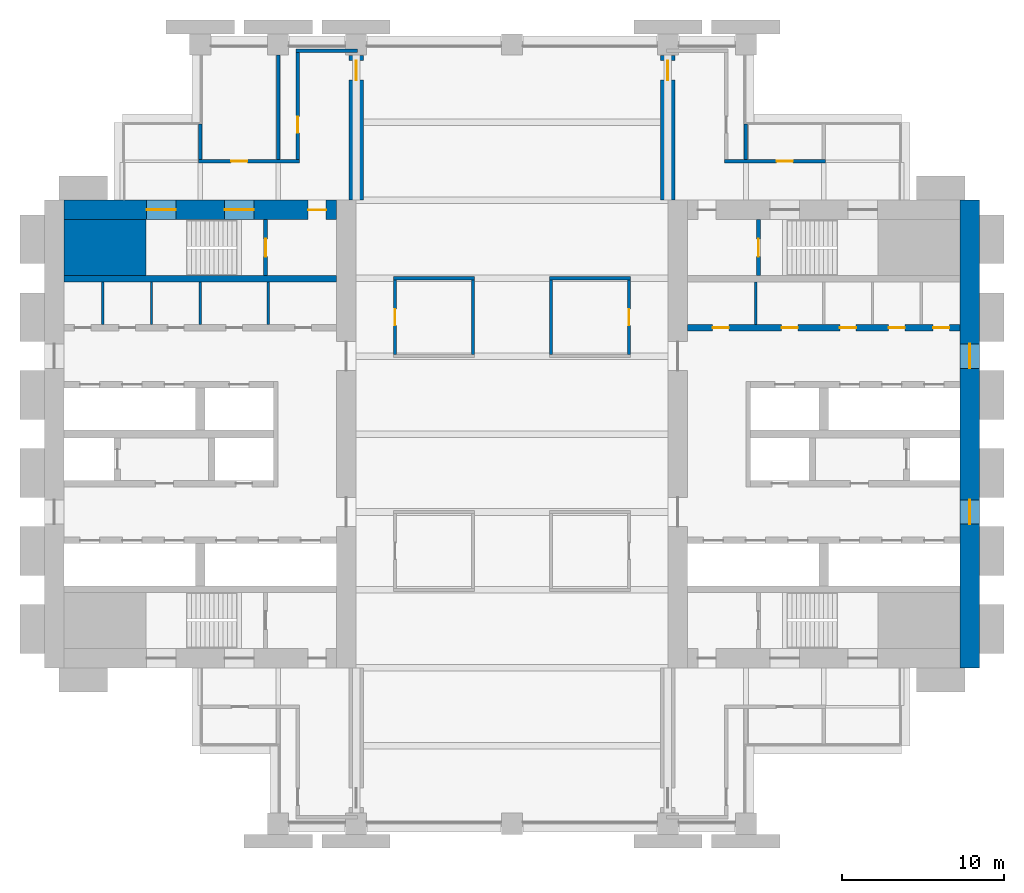
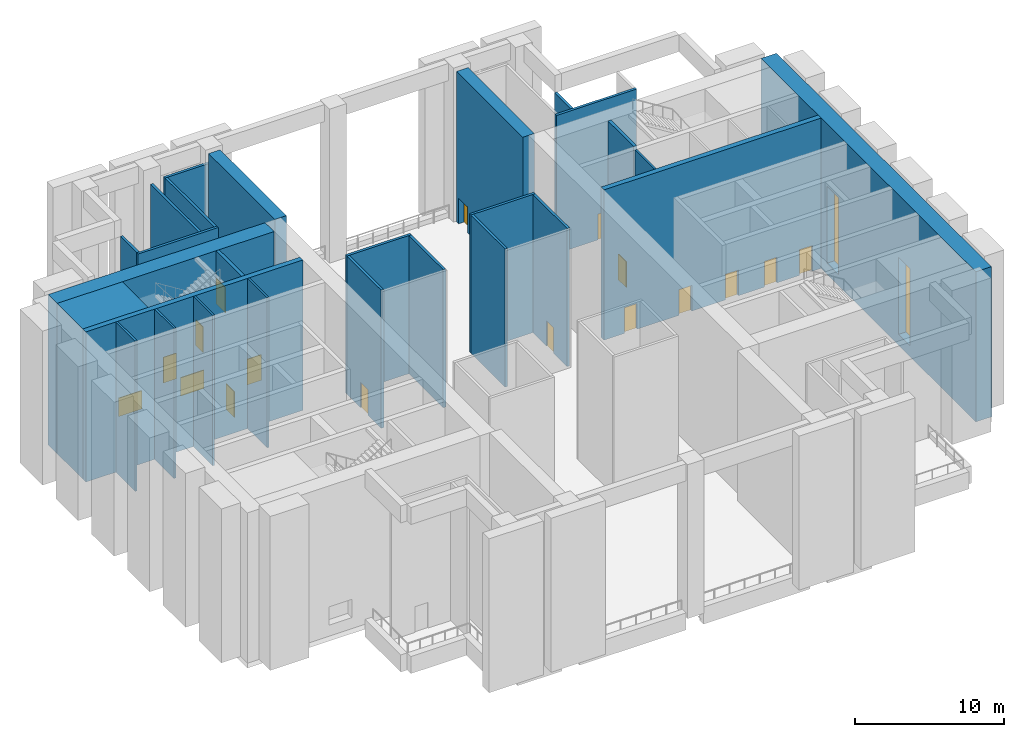
# One storey, part 5 of 10: 27 walls, 15 doors, 4 windows, 19 openings.
"""IFC4 building model written with IfcOpenShell, lengths in metres."""

from ifc_helpers import new_model, si_unit, direction, frame, frame_2d, origin, place, context, subcontext, project, spatial, rectangle, extrude, material, layer, layer_set, type_object, element, fill, save


model = new_model("IFC4")

# Units and contexts
model_context = context("Model", 3, precision=1e-05, world=origin(), true_north=direction((0.0, 1.0)))
body_context = subcontext(model_context, "Body", "Model", "MODEL_VIEW")
ifc_project = project(units=[si_unit("LENGTHUNIT", "METRE"), si_unit("AREAUNIT", "SQUARE_METRE"), si_unit("VOLUMEUNIT", "CUBIC_METRE"), si_unit("PLANEANGLEUNIT", "RADIAN"), si_unit("MASSUNIT", "GRAM", prefix="KILO")], contexts=[model_context])

# Site, building, storey
site_placement = place(None, origin())
site = spatial("IfcSite", under=ifc_project, at=site_placement, CompositionType="ELEMENT")
building_placement = place(site_placement, origin())
building = spatial("IfcBuilding", under=site, at=building_placement, Name="Baori Bourse Tower", CompositionType="ELEMENT")
storey_placement = place(building_placement, frame((0.0, 0.0, 91.5)))
storey = spatial("IfcBuildingStorey", under=building, at=storey_placement, Name="L20", CompositionType="ELEMENT", Elevation=91.5)

# Walls
ifc_material_1 = material(Name="Concrete f'c 70 MPa", Category="concrete")
wall_type_1 = type_object("IfcWallType", Name="Core corner block f'c 70", PredefinedType="SHEAR", material=ifc_material_1)
wall_1_placement = place(storey_placement, frame((1.199951171875, 35.47509765625, 0.0), z_axis=(0.0, 0.0, 1.0), x_axis=(1.0, 0.0, 0.0)))
element("IfcWall", 1, at=wall_1_placement, inside=storey, type_object=wall_type_1, Name="Core wall W22", PredefinedType="SHEAR", context=body_context, shape_type="SweptSolid", body=[
    extrude(rectangle(XDim=5.050048828125, YDim=3.449951171875, at=frame_2d((2.52490234375, 0.0))), origin(), (0.0, 0.0, 1.0), 12.300048828125),
])
ifc_material_2 = material(Name="Blockwork partition", Category="masonry")
ifc_layer_1 = layer(ifc_material_2, 0.14990234375)
ifc_layer_set_1 = layer_set([ifc_layer_1], Name="Core partition 150")
wall_type_2 = type_object("IfcWallType", Name="Core partition 150", PredefinedType="PARTITIONING", material=ifc_layer_set_1)
for number, where, z_axis, x_axis, name in (
    (2, (3.60009765625, 30.75, 0.0), (0.0, 0.0, 1.0), (0.0, 1.0, 0.0), "Partition wall W17"),
    (3, (6.60009765625, 30.75, 0.0), (0.0, 0.0, 1.0), (0.0, 1.0, 0.0), "Partition wall W18"),
    (4, (9.60009765625, 30.75, 0.0), (0.0, 0.0, 1.0), (0.0, 1.0, 0.0), "Partition wall W19"),
    (5, (13.800048828125, 30.75, 0.0), (0.0, 0.0, 1.0), (0.0, 1.0, 0.0), "Partition wall W20"),
    (6, (43.800048828125, 30.75, 0.0), (0.0, 0.0, 1.0), (0.0, 1.0, 0.0), "Partition wall E20"),
):
    element("IfcWall", number, at=place(storey_placement, frame(where, z_axis=z_axis, x_axis=x_axis)), inside=storey, type_object=wall_type_2, Name=name, PredefinedType="PARTITIONING", context=body_context, shape_type="SweptSolid", body=[
        extrude(rectangle(XDim=2.60009765625, YDim=0.14990234375, at=frame_2d((1.300048828125, 0.0))), origin(), (0.0, 0.0, 1.0), 12.300048828125),
    ])

# Wall, openings, door, windows
ifc_material_3 = material(Name="Concrete f'c 70 MPa", Category="concrete")
ifc_layer_2 = layer(ifc_material_3, 1.199951171875)
ifc_layer_set_2 = layer_set([ifc_layer_2], Name="Core wall 1200 f'c 70")
wall_type_3 = type_object("IfcWallType", Name="Core wall 1200 f'c 70", PredefinedType="SHEAR", material=ifc_layer_set_2)
wall_2_placement = place(storey_placement, frame((1.199951171875, 37.800048828125, 0.0), z_axis=(0.0, 0.0, 1.0), x_axis=(1.0, 0.0, 0.0)))
wall_2 = element("IfcWall", 7, at=wall_2_placement, inside=storey, type_object=wall_type_3, Name="Core wall W24", PredefinedType="SHEAR", context=body_context, shape_type="SweptSolid", body=[
    extrude(rectangle(XDim=16.800048828125, YDim=1.199951171875, at=frame_2d((8.39990234375, 0.0))), origin(), (0.0, 0.0, 1.0), 12.300048828125),
])
opening_1_placement = place(wall_2_placement, frame((15.050048828125, 0.0, 0.0)))
opening_1 = element("IfcOpeningElement", 8, at=opening_1_placement, cuts=wall_2, Name="Opening L20-D104", PredefinedType="OPENING", context=body_context, shape_type="SweptSolid", body=[
    extrude(rectangle(XDim=1.10009765625, YDim=2.10009765625, at=frame_2d((0.550048828125, 1.050048828125))), frame((0.0, 0.60986328125, 0.0), z_axis=(0.0, -1.0, 0.0), x_axis=(1.0, 0.0, 0.0)), (0.0, 0.0, 1.0), 1.219970703125),
])
opening_2_placement = place(wall_2_placement, frame((5.10009765625, 0.0, 0.89990234375)))
opening_2 = element("IfcOpeningElement", 9, at=opening_2_placement, cuts=wall_2, Name="Opening L20-KW105", PredefinedType="OPENING", context=body_context, shape_type="SweptSolid", body=[
    extrude(rectangle(XDim=1.800048828125, YDim=1.5, at=frame_2d((0.89990234375, 0.75))), frame((0.0, 0.60986328125, 0.0), z_axis=(0.0, -1.0, 0.0), x_axis=(1.0, 0.0, 0.0)), (0.0, 0.0, 1.0), 1.219970703125),
])
opening_3_placement = place(wall_2_placement, frame((9.89990234375, 0.0, 0.89990234375)))
opening_3 = element("IfcOpeningElement", 10, at=opening_3_placement, cuts=wall_2, Name="Opening L20-KW106", PredefinedType="OPENING", context=body_context, shape_type="SweptSolid", body=[
    extrude(rectangle(XDim=1.800048828125, YDim=1.5, at=frame_2d((0.89990234375, 0.75))), frame((0.0, 0.60986328125, 0.0), z_axis=(0.0, -1.0, 0.0), x_axis=(1.0, 0.0, 0.0)), (0.0, 0.0, 1.0), 1.219970703125),
])
ifc_material_4 = material(Name="Painted steel door", Category="steel")
door_type_1 = type_object("IfcDoorType", Name="Stair door 1100", OperationType="SINGLE_SWING_LEFT", PredefinedType="DOOR", material=ifc_material_4)
door_1_placement = place(opening_1_placement, origin())
door_1 = element("IfcDoor", 11, at=door_1_placement, inside=storey, type_object=door_type_1, Name="Stair vestibule door B W L20", OperationType="SINGLE_SWING_LEFT", OverallHeight=2.10009765625, OverallWidth=1.10009765625, PredefinedType="DOOR", context=body_context, shape_type="SweptSolid", body=[
    extrude(rectangle(XDim=1.10009765625, YDim=2.10009765625, at=frame_2d((0.550048828125, 1.050048828125))), frame((0.0, 0.02490234375, 0.0), z_axis=(0.0, -1.0, 0.0), x_axis=(1.0, 0.0, 0.0)), (0.0, 0.0, 1.0), 0.050048828125),
])
fill(opening_1, door_1)
ifc_material_5 = material(Name="Pale anodised aluminium", Category="aluminium")
window_type_1 = type_object("IfcWindowType", Name="Stair window 1800 x 1500", PartitioningType="SINGLE_PANEL", PredefinedType="WINDOW", material=ifc_material_5)
window_1_placement = place(opening_2_placement, origin())
window_1 = element("IfcWindow", 12, at=window_1_placement, inside=storey, type_object=window_type_1, Name="Stair window W L20 5", OverallHeight=1.5, OverallWidth=1.800048828125, PartitioningType="SINGLE_PANEL", PredefinedType="WINDOW", context=body_context, shape_type="SweptSolid", body=[
    extrude(rectangle(XDim=1.800048828125, YDim=1.5, at=frame_2d((0.89990234375, 0.75))), frame((0.0, 0.030029296875, 0.0), z_axis=(0.0, -1.0, 0.0), x_axis=(1.0, 0.0, 0.0)), (0.0, 0.0, 1.0), 0.06005859375),
])
fill(opening_2, window_1)
window_2_placement = place(opening_3_placement, origin())
window_2 = element("IfcWindow", 13, at=window_2_placement, inside=storey, type_object=window_type_1, Name="Stair window W L20 6", OverallHeight=1.5, OverallWidth=1.800048828125, PartitioningType="SINGLE_PANEL", PredefinedType="WINDOW", context=body_context, shape_type="SweptSolid", body=[
    extrude(rectangle(XDim=1.800048828125, YDim=1.5, at=frame_2d((0.89990234375, 0.75))), frame((0.0, 0.030029296875, 0.0), z_axis=(0.0, -1.0, 0.0), x_axis=(1.0, 0.0, 0.0)), (0.0, 0.0, 1.0), 0.06005859375),
])
fill(opening_3, window_2)

# Wall, openings, windows
wall_3_placement = place(storey_placement, frame((57.0, 38.39990234375, 0.0), z_axis=(0.0, 0.0, 1.0), x_axis=(0.0, -1.0, 0.0)))
wall_3 = element("IfcWall", 14, at=wall_3_placement, inside=storey, type_object=wall_type_3, Name="Core wall E01", PredefinedType="SHEAR", context=body_context, shape_type="SweptSolid", body=[
    extrude(rectangle(XDim=28.7998046875, YDim=1.199951171875, at=frame_2d((14.39990234375, 0.0))), origin(), (0.0, 0.0, 1.0), 12.300048828125),
])
opening_4_placement = place(wall_3_placement, frame((18.449951171875, 0.0, 0.89990234375)))
opening_4 = element("IfcOpeningElement", 15, at=opening_4_placement, cuts=wall_3, Name="Opening L20-KW201", PredefinedType="OPENING", context=body_context, shape_type="SweptSolid", body=[
    extrude(rectangle(XDim=1.5, YDim=6.300048828125, at=frame_2d((0.75, 3.14990234375))), frame((0.0, 0.60986328125, 0.0), z_axis=(0.0, -1.0, 0.0), x_axis=(1.0, 0.0, 0.0)), (0.0, 0.0, 1.0), 1.219970703125),
])
opening_5_placement = place(wall_3_placement, frame((8.85009765625, 0.0, 0.89990234375)))
opening_5 = element("IfcOpeningElement", 16, at=opening_5_placement, cuts=wall_3, Name="Opening L20-KW202", PredefinedType="OPENING", context=body_context, shape_type="SweptSolid", body=[
    extrude(rectangle(XDim=1.5, YDim=6.300048828125, at=frame_2d((0.75, 3.14990234375))), frame((0.0, 0.60986328125, 0.0), z_axis=(0.0, -1.0, 0.0), x_axis=(1.0, 0.0, 0.0)), (0.0, 0.0, 1.0), 1.219970703125),
])
ifc_material_6 = material(Name="Pale anodised aluminium", Category="aluminium")
window_type_2 = type_object("IfcWindowType", Name="Lobby window 1500 x 6300", PartitioningType="SINGLE_PANEL", PredefinedType="WINDOW", material=ifc_material_6)
window_3_placement = place(opening_4_placement, origin())
window_3 = element("IfcWindow", 17, at=window_3_placement, inside=storey, type_object=window_type_2, Name="Outer wall window E L20 1", OverallHeight=6.300048828125, OverallWidth=1.5, PartitioningType="SINGLE_PANEL", PredefinedType="WINDOW", context=body_context, shape_type="SweptSolid", body=[
    extrude(rectangle(XDim=1.5, YDim=6.300048828125, at=frame_2d((0.75, 3.14990234375))), frame((0.0, 0.030029296875, 0.0), z_axis=(0.0, -1.0, 0.0), x_axis=(1.0, 0.0, 0.0)), (0.0, 0.0, 1.0), 0.06005859375),
])
fill(opening_4, window_3)
window_4_placement = place(opening_5_placement, origin())
window_4 = element("IfcWindow", 18, at=window_4_placement, inside=storey, type_object=window_type_2, Name="Outer wall window E L20 2", OverallHeight=6.300048828125, OverallWidth=1.5, PartitioningType="SINGLE_PANEL", PredefinedType="WINDOW", context=body_context, shape_type="SweptSolid", body=[
    extrude(rectangle(XDim=1.5, YDim=6.300048828125, at=frame_2d((0.75, 3.14990234375))), frame((0.0, 0.030029296875, 0.0), z_axis=(0.0, -1.0, 0.0), x_axis=(1.0, 0.0, 0.0)), (0.0, 0.0, 1.0), 0.06005859375),
])
fill(opening_5, window_4)

# Wall, opening, door
ifc_material_7 = material(Name="Concrete f'c 70 MPa", Category="concrete")
ifc_layer_3 = layer(ifc_material_7, 0.89990234375)
ifc_layer_set_3 = layer_set([ifc_layer_3], Name="Outrigger wall 900 70")
wall_type_4 = type_object("IfcWallType", Name="Outrigger wall 900 70", PredefinedType="SHEAR", material=ifc_layer_set_3)
wall_4_placement = place(storey_placement, frame((19.199951171875, 38.39990234375, 0.0), z_axis=(0.0, 0.0, 1.0), x_axis=(0.0, 1.0, 0.0)))
wall_4 = element("IfcWall", 19, at=wall_4_placement, inside=storey, type_object=wall_type_4, Name="Outrigger wall L20", PredefinedType="SHEAR", context=body_context, shape_type="SweptSolid", body=[
    extrude(rectangle(XDim=8.900146484375, YDim=0.89990234375, at=frame_2d((4.4501953125, 0.0))), origin(), (0.0, 0.0, 1.0), 12.300048828125),
])
opening_6_placement = place(wall_4_placement, frame((7.39990234375, 0.0, 0.0)))
opening_6 = element("IfcOpeningElement", 20, at=opening_6_placement, cuts=wall_4, Name="Opening L20-D14", PredefinedType="OPENING", context=body_context, shape_type="SweptSolid", body=[
    extrude(rectangle(XDim=1.199951171875, YDim=2.10009765625, at=frame_2d((0.60009765625, 1.050048828125))), frame((0.0, 0.4599609375, 0.0), z_axis=(0.0, -1.0, 0.0), x_axis=(1.0, 0.0, 0.0)), (0.0, 0.0, 1.0), 0.919921875),
])
ifc_material_8 = material(Name="Timber door leaf", Category="wood")
door_type_2 = type_object("IfcDoorType", Name="Door 1200 x 2100", OperationType="SINGLE_SWING_LEFT", PredefinedType="DOOR", material=ifc_material_8)
door_2_placement = place(opening_6_placement, origin())
door_2 = element("IfcDoor", 21, at=door_2_placement, inside=storey, type_object=door_type_2, Name="Door", OperationType="SINGLE_SWING_LEFT", OverallHeight=2.10009765625, OverallWidth=1.199951171875, PredefinedType="DOOR", context=body_context, shape_type="SweptSolid", body=[
    extrude(rectangle(XDim=1.199951171875, YDim=2.10009765625, at=frame_2d((0.60009765625, 1.050048828125))), frame((0.0, 0.02490234375, 0.0), z_axis=(0.0, -1.0, 0.0), x_axis=(1.0, 0.0, 0.0)), (0.0, 0.0, 1.0), 0.050048828125),
])
fill(opening_6, door_2)

wall_5_placement = place(storey_placement, frame((38.39990234375, 38.39990234375, 0.0), z_axis=(0.0, 0.0, 1.0), x_axis=(0.0, 1.0, 0.0)))
wall_5 = element("IfcWall", 22, at=wall_5_placement, inside=storey, type_object=wall_type_4, Name="Outrigger wall L20", PredefinedType="SHEAR", context=body_context, shape_type="SweptSolid", body=[
    extrude(rectangle(XDim=8.900146484375, YDim=0.89990234375, at=frame_2d((4.4501953125, 0.0))), origin(), (0.0, 0.0, 1.0), 12.300048828125),
])
opening_7_placement = place(wall_5_placement, frame((7.39990234375, 0.0, 0.0)))
opening_7 = element("IfcOpeningElement", 23, at=opening_7_placement, cuts=wall_5, Name="Opening L20-D16", PredefinedType="OPENING", context=body_context, shape_type="SweptSolid", body=[
    extrude(rectangle(XDim=1.199951171875, YDim=2.10009765625, at=frame_2d((0.60009765625, 1.050048828125))), frame((0.0, 0.4599609375, 0.0), z_axis=(0.0, -1.0, 0.0), x_axis=(1.0, 0.0, 0.0)), (0.0, 0.0, 1.0), 0.919921875),
])
door_3_placement = place(opening_7_placement, origin())
door_3 = element("IfcDoor", 24, at=door_3_placement, inside=storey, type_object=door_type_2, Name="Door", OperationType="SINGLE_SWING_RIGHT", OverallHeight=2.10009765625, OverallWidth=1.199951171875, PredefinedType="DOOR", context=body_context, shape_type="SweptSolid", body=[
    extrude(rectangle(XDim=1.199951171875, YDim=2.10009765625, at=frame_2d((0.60009765625, 1.050048828125))), frame((0.0, 0.02490234375, 0.0), z_axis=(0.0, -1.0, 0.0), x_axis=(1.0, 0.0, 0.0)), (0.0, 0.0, 1.0), 0.050048828125),
])
fill(opening_7, door_3)

# Walls
ifc_material_9 = material(Name="Gypsum board partition")
ifc_layer_4 = layer(ifc_material_9, 0.199951171875)
ifc_layer_set_4 = layer_set([ifc_layer_4], Name="Plant room wall 200")
wall_type_5 = type_object("IfcWallType", Name="Plant room wall 200", PredefinedType="PARTITIONING", material=ifc_layer_set_4)
for number, where, z_axis, x_axis, name in (
    (25, (21.5, 33.60009765625, 0.0), (0.0, 0.0, 1.0), (1.0, 0.0, 0.0), "Partition"),
    (26, (31.10009765625, 33.60009765625, 0.0), (0.0, 0.0, 1.0), (1.0, 0.0, 0.0), "Partition"),
):
    element("IfcWall", number, at=place(storey_placement, frame(where, z_axis=z_axis, x_axis=x_axis)), inside=storey, type_object=wall_type_5, Name=name, PredefinedType="PARTITIONING", context=body_context, shape_type="SweptSolid", body=[
        extrude(rectangle(XDim=5.0, YDim=0.199951171875, at=frame_2d((2.5, 0.0))), origin(), (0.0, 0.0, 1.0), 11.309326171875),
    ])

# Wall, opening, door
wall_6_placement = place(storey_placement, frame((9.5, 40.800048828125, 0.0), z_axis=(0.0, 0.0, 1.0), x_axis=(1.0, 0.0, 0.0)))
wall_6 = element("IfcWall", 27, at=wall_6_placement, inside=storey, type_object=wall_type_5, Name="Partition", PredefinedType="PARTITIONING", context=body_context, shape_type="SweptSolid", body=[
    extrude(rectangle(XDim=6.199951171875, YDim=0.199951171875, at=frame_2d((3.10009765625, 0.0))), origin(), (0.0, 0.0, 1.0), 11.309326171875),
])
opening_8_placement = place(wall_6_placement, frame((2.0, 0.0, 0.0)))
opening_8 = element("IfcOpeningElement", 28, at=opening_8_placement, cuts=wall_6, Name="Opening L20-D03", PredefinedType="OPENING", context=body_context, shape_type="SweptSolid", body=[
    extrude(rectangle(XDim=1.0, YDim=2.10009765625, at=frame_2d((0.5, 1.050048828125))), frame((0.0, 0.10986328125, 0.0), z_axis=(0.0, -1.0, 0.0), x_axis=(1.0, 0.0, 0.0)), (0.0, 0.0, 1.0), 0.219970703125),
])
ifc_material_10 = material(Name="Timber door leaf", Category="wood")
door_type_3 = type_object("IfcDoorType", Name="Door 1000 x 2100", OperationType="SINGLE_SWING_LEFT", PredefinedType="DOOR", material=ifc_material_10)
door_4_placement = place(opening_8_placement, origin())
door_4 = element("IfcDoor", 29, at=door_4_placement, inside=storey, type_object=door_type_3, Name="Door", OperationType="SINGLE_SWING_RIGHT", OverallHeight=2.10009765625, OverallWidth=1.0, PredefinedType="DOOR", context=body_context, shape_type="SweptSolid", body=[
    extrude(rectangle(XDim=1.0, YDim=2.10009765625, at=frame_2d((0.5, 1.050048828125))), frame((0.0, 0.02490234375, 0.0), z_axis=(0.0, -1.0, 0.0), x_axis=(1.0, 0.0, 0.0)), (0.0, 0.0, 1.0), 0.050048828125),
])
fill(opening_8, door_4)

wall_7_placement = place(storey_placement, frame((41.89990234375, 40.800048828125, 0.0), z_axis=(0.0, 0.0, 1.0), x_axis=(1.0, 0.0, 0.0)))
wall_7 = element("IfcWall", 30, at=wall_7_placement, inside=storey, type_object=wall_type_5, Name="Partition", PredefinedType="PARTITIONING", context=body_context, shape_type="SweptSolid", body=[
    extrude(rectangle(XDim=6.2001953125, YDim=0.199951171875, at=frame_2d((3.10009765625, 0.0))), origin(), (0.0, 0.0, 1.0), 11.309326171875),
])
opening_9_placement = place(wall_7_placement, frame((3.199951171875, 0.0, 0.0)))
opening_9 = element("IfcOpeningElement", 31, at=opening_9_placement, cuts=wall_7, Name="Opening L20-D04", PredefinedType="OPENING", context=body_context, shape_type="SweptSolid", body=[
    extrude(rectangle(XDim=1.0, YDim=2.10009765625, at=frame_2d((0.5, 1.050048828125))), frame((0.0, 0.10986328125, 0.0), z_axis=(0.0, -1.0, 0.0), x_axis=(1.0, 0.0, 0.0)), (0.0, 0.0, 1.0), 0.219970703125),
])
door_5_placement = place(opening_9_placement, origin())
door_5 = element("IfcDoor", 32, at=door_5_placement, inside=storey, type_object=door_type_3, Name="Door", OperationType="SINGLE_SWING_LEFT", OverallHeight=2.10009765625, OverallWidth=1.0, PredefinedType="DOOR", context=body_context, shape_type="SweptSolid", body=[
    extrude(rectangle(XDim=1.0, YDim=2.10009765625, at=frame_2d((0.5, 1.050048828125))), frame((0.0, 0.02490234375, 0.0), z_axis=(0.0, -1.0, 0.0), x_axis=(1.0, 0.0, 0.0)), (0.0, 0.0, 1.0), 0.050048828125),
])
fill(opening_9, door_5)

# Walls
wall_8_placement = place(storey_placement, frame((15.5, 47.60009765625, 0.0), z_axis=(0.0, 0.0, 1.0), x_axis=(1.0, 0.0, 0.0)))
element("IfcWall", 33, at=wall_8_placement, inside=storey, type_object=wall_type_5, Name="Partition", PredefinedType="PARTITIONING", context=body_context, shape_type="SweptSolid", body=[
    extrude(rectangle(XDim=3.800048828125, YDim=0.199951171875, at=frame_2d((1.89990234375, 0.0))), origin(), (0.0, 0.0, 1.0), 11.309326171875),
])
wall_9_placement = place(storey_placement, frame((9.60009765625, 40.89990234375, 0.0), z_axis=(0.0, 0.0, 1.0), x_axis=(0.0, 1.0, 0.0)))
element("IfcWall", 34, at=wall_9_placement, inside=storey, type_object=wall_type_5, Name="Partition", PredefinedType="PARTITIONING", context=body_context, shape_type="SweptSolid", body=[
    extrude(rectangle(XDim=2.2001953125, YDim=0.199951171875, at=frame_2d((1.10009765625, 0.0))), origin(), (0.0, 0.0, 1.0), 11.309326171875),
])
wall_10_placement = place(storey_placement, frame((14.39990234375, 40.89990234375, 0.0), z_axis=(0.0, 0.0, 1.0), x_axis=(0.0, 1.0, 0.0)))
element("IfcWall", 35, at=wall_10_placement, inside=storey, type_object=wall_type_5, Name="Partition", PredefinedType="PARTITIONING", context=body_context, shape_type="SweptSolid", body=[
    extrude(rectangle(XDim=6.4501953125, YDim=0.199951171875, at=frame_2d((3.22509765625, 0.0))), origin(), (0.0, 0.0, 1.0), 11.309326171875),
])

# Wall, opening, door
wall_11_placement = place(storey_placement, frame((15.60009765625, 40.89990234375, 0.0), z_axis=(0.0, 0.0, 1.0), x_axis=(0.0, 1.0, 0.0)))
wall_11 = element("IfcWall", 36, at=wall_11_placement, inside=storey, type_object=wall_type_5, Name="Partition", PredefinedType="PARTITIONING", context=body_context, shape_type="SweptSolid", body=[
    extrude(rectangle(XDim=6.60009765625, YDim=0.199951171875, at=frame_2d((3.300048828125, 0.0))), origin(), (0.0, 0.0, 1.0), 11.309326171875),
])
opening_10_placement = place(wall_11_placement, frame((1.64990234375, 0.0, 0.0)))
opening_10 = element("IfcOpeningElement", 37, at=opening_10_placement, cuts=wall_11, Name="Opening L20-D06", PredefinedType="OPENING", context=body_context, shape_type="SweptSolid", body=[
    extrude(rectangle(XDim=1.0, YDim=2.10009765625, at=frame_2d((0.5, 1.050048828125))), frame((0.0, 0.10986328125, 0.0), z_axis=(0.0, -1.0, 0.0), x_axis=(1.0, 0.0, 0.0)), (0.0, 0.0, 1.0), 0.219970703125),
])
door_6_placement = place(opening_10_placement, origin())
door_6 = element("IfcDoor", 38, at=door_6_placement, inside=storey, type_object=door_type_3, Name="Door", OperationType="SINGLE_SWING_RIGHT", OverallHeight=2.10009765625, OverallWidth=1.0, PredefinedType="DOOR", context=body_context, shape_type="SweptSolid", body=[
    extrude(rectangle(XDim=1.0, YDim=2.10009765625, at=frame_2d((0.5, 1.050048828125))), frame((0.0, 0.02490234375, 0.0), z_axis=(0.0, -1.0, 0.0), x_axis=(1.0, 0.0, 0.0)), (0.0, 0.0, 1.0), 0.050048828125),
])
fill(opening_10, door_6)

wall_12_placement = place(storey_placement, frame((21.60009765625, 28.89990234375, 0.0), z_axis=(0.0, 0.0, 1.0), x_axis=(0.0, 1.0, 0.0)))
wall_12 = element("IfcWall", 39, at=wall_12_placement, inside=storey, type_object=wall_type_5, Name="Partition", PredefinedType="PARTITIONING", context=body_context, shape_type="SweptSolid", body=[
    extrude(rectangle(XDim=4.60009765625, YDim=0.199951171875, at=frame_2d((2.300048828125, 0.0))), origin(), (0.0, 0.0, 1.0), 11.309326171875),
])
opening_11_placement = place(wall_12_placement, frame((1.800048828125, 0.0, 0.0)))
opening_11 = element("IfcOpeningElement", 40, at=opening_11_placement, cuts=wall_12, Name="Opening L20-D08", PredefinedType="OPENING", context=body_context, shape_type="SweptSolid", body=[
    extrude(rectangle(XDim=1.0, YDim=2.10009765625, at=frame_2d((0.5, 1.050048828125))), frame((0.0, 0.10986328125, 0.0), z_axis=(0.0, -1.0, 0.0), x_axis=(1.0, 0.0, 0.0)), (0.0, 0.0, 1.0), 0.219970703125),
])
door_7_placement = place(opening_11_placement, origin())
door_7 = element("IfcDoor", 41, at=door_7_placement, inside=storey, type_object=door_type_3, Name="Door", OperationType="SINGLE_SWING_LEFT", OverallHeight=2.10009765625, OverallWidth=1.0, PredefinedType="DOOR", context=body_context, shape_type="SweptSolid", body=[
    extrude(rectangle(XDim=1.0, YDim=2.10009765625, at=frame_2d((0.5, 1.050048828125))), frame((0.0, 0.02490234375, 0.0), z_axis=(0.0, -1.0, 0.0), x_axis=(1.0, 0.0, 0.0)), (0.0, 0.0, 1.0), 0.050048828125),
])
fill(opening_11, door_7)

# Walls
for number, where, z_axis, x_axis, name in (
    (42, (26.39990234375, 28.89990234375, 0.0), (0.0, 0.0, 1.0), (0.0, 1.0, 0.0), "Partition"),
    (43, (31.199951171875, 28.89990234375, 0.0), (0.0, 0.0, 1.0), (0.0, 1.0, 0.0), "Partition"),
):
    element("IfcWall", number, at=place(storey_placement, frame(where, z_axis=z_axis, x_axis=x_axis)), inside=storey, type_object=wall_type_5, Name=name, PredefinedType="PARTITIONING", context=body_context, shape_type="SweptSolid", body=[
        extrude(rectangle(XDim=4.60009765625, YDim=0.199951171875, at=frame_2d((2.300048828125, 0.0))), origin(), (0.0, 0.0, 1.0), 11.309326171875),
    ])

# Wall, opening, door
wall_13_placement = place(storey_placement, frame((36.0, 28.89990234375, 0.0), z_axis=(0.0, 0.0, 1.0), x_axis=(0.0, 1.0, 0.0)))
wall_13 = element("IfcWall", 44, at=wall_13_placement, inside=storey, type_object=wall_type_5, Name="Partition", PredefinedType="PARTITIONING", context=body_context, shape_type="SweptSolid", body=[
    extrude(rectangle(XDim=4.60009765625, YDim=0.199951171875, at=frame_2d((2.300048828125, 0.0))), origin(), (0.0, 0.0, 1.0), 11.309326171875),
])
opening_12_placement = place(wall_13_placement, frame((1.800048828125, 0.0, 0.0)))
opening_12 = element("IfcOpeningElement", 45, at=opening_12_placement, cuts=wall_13, Name="Opening L20-D10", PredefinedType="OPENING", context=body_context, shape_type="SweptSolid", body=[
    extrude(rectangle(XDim=1.0, YDim=2.10009765625, at=frame_2d((0.5, 1.050048828125))), frame((0.0, 0.10986328125, 0.0), z_axis=(0.0, -1.0, 0.0), x_axis=(1.0, 0.0, 0.0)), (0.0, 0.0, 1.0), 0.219970703125),
])
door_8_placement = place(opening_12_placement, origin())
door_8 = element("IfcDoor", 46, at=door_8_placement, inside=storey, type_object=door_type_3, Name="Door", OperationType="SINGLE_SWING_RIGHT", OverallHeight=2.10009765625, OverallWidth=1.0, PredefinedType="DOOR", context=body_context, shape_type="SweptSolid", body=[
    extrude(rectangle(XDim=1.0, YDim=2.10009765625, at=frame_2d((0.5, 1.050048828125))), frame((0.0, 0.02490234375, 0.0), z_axis=(0.0, -1.0, 0.0), x_axis=(1.0, 0.0, 0.0)), (0.0, 0.0, 1.0), 0.050048828125),
])
fill(opening_12, door_8)

# Wall
wall_14_placement = place(storey_placement, frame((43.199951171875, 40.89990234375, 0.0), z_axis=(0.0, 0.0, 1.0), x_axis=(0.0, 1.0, 0.0)))
element("IfcWall", 47, at=wall_14_placement, inside=storey, type_object=wall_type_5, Name="Partition", PredefinedType="PARTITIONING", context=body_context, shape_type="SweptSolid", body=[
    extrude(rectangle(XDim=2.2001953125, YDim=0.199951171875, at=frame_2d((1.10009765625, 0.0))), origin(), (0.0, 0.0, 1.0), 11.309326171875),
])

# Wall, opening, door
ifc_material_11 = material(Name="Concrete f'c 70 MPa", Category="concrete")
ifc_layer_5 = layer(ifc_material_11, 0.25)
ifc_layer_set_5 = layer_set([ifc_layer_5], Name="Shaft wall 250 f'c 70")
wall_type_6 = type_object("IfcWallType", Name="Shaft wall 250 f'c 70", PredefinedType="SHEAR", material=ifc_layer_set_5)
wall_15_placement = place(storey_placement, frame((13.625, 33.75, 0.0), z_axis=(0.0, 0.0, 1.0), x_axis=(0.0, 1.0, 0.0)))
wall_15 = element("IfcWall", 48, at=wall_15_placement, inside=storey, type_object=wall_type_6, Name="Core wall W23", PredefinedType="SHEAR", context=body_context, shape_type="SweptSolid", body=[
    extrude(rectangle(XDim=3.449951171875, YDim=0.25, at=frame_2d((1.72509765625, 0.0))), origin(), (0.0, 0.0, 1.0), 12.300048828125),
])
opening_13_placement = place(wall_15_placement, frame((1.175048828125, 0.0, 0.0)))
opening_13 = element("IfcOpeningElement", 49, at=opening_13_placement, cuts=wall_15, Name="Opening L20-D103", PredefinedType="OPENING", context=body_context, shape_type="SweptSolid", body=[
    extrude(rectangle(XDim=1.10009765625, YDim=2.10009765625, at=frame_2d((0.550048828125, 1.050048828125))), frame((0.0, 0.135009765625, 0.0), z_axis=(0.0, -1.0, 0.0), x_axis=(1.0, 0.0, 0.0)), (0.0, 0.0, 1.0), 0.27001953125),
])
door_9_placement = place(opening_13_placement, origin())
door_9 = element("IfcDoor", 50, at=door_9_placement, inside=storey, type_object=door_type_1, Name="Stair door B W L20", OperationType="SINGLE_SWING_LEFT", OverallHeight=2.10009765625, OverallWidth=1.10009765625, PredefinedType="DOOR", context=body_context, shape_type="SweptSolid", body=[
    extrude(rectangle(XDim=1.10009765625, YDim=2.10009765625, at=frame_2d((0.550048828125, 1.050048828125))), frame((0.0, 0.02490234375, 0.0), z_axis=(0.0, -1.0, 0.0), x_axis=(1.0, 0.0, 0.0)), (0.0, 0.0, 1.0), 0.050048828125),
])
fill(opening_13, door_9)

wall_16_placement = place(storey_placement, frame((43.97509765625, 33.75, 0.0), z_axis=(0.0, 0.0, 1.0), x_axis=(0.0, 1.0, 0.0)))
wall_16 = element("IfcWall", 51, at=wall_16_placement, inside=storey, type_object=wall_type_6, Name="Core wall E23", PredefinedType="SHEAR", context=body_context, shape_type="SweptSolid", body=[
    extrude(rectangle(XDim=3.449951171875, YDim=0.25, at=frame_2d((1.72509765625, 0.0))), origin(), (0.0, 0.0, 1.0), 12.300048828125),
])
opening_14_placement = place(wall_16_placement, frame((1.175048828125, 0.0, 0.0)))
opening_14 = element("IfcOpeningElement", 52, at=opening_14_placement, cuts=wall_16, Name="Opening L20-D203", PredefinedType="OPENING", context=body_context, shape_type="SweptSolid", body=[
    extrude(rectangle(XDim=1.10009765625, YDim=2.10009765625, at=frame_2d((0.550048828125, 1.050048828125))), frame((0.0, 0.135009765625, 0.0), z_axis=(0.0, -1.0, 0.0), x_axis=(1.0, 0.0, 0.0)), (0.0, 0.0, 1.0), 0.27001953125),
])
door_10_placement = place(opening_14_placement, origin())
door_10 = element("IfcDoor", 53, at=door_10_placement, inside=storey, type_object=door_type_1, Name="Stair door B E L20", OperationType="SINGLE_SWING_LEFT", OverallHeight=2.10009765625, OverallWidth=1.10009765625, PredefinedType="DOOR", context=body_context, shape_type="SweptSolid", body=[
    extrude(rectangle(XDim=1.10009765625, YDim=2.10009765625, at=frame_2d((0.550048828125, 1.050048828125))), frame((0.0, 0.02490234375, 0.0), z_axis=(0.0, -1.0, 0.0), x_axis=(1.0, 0.0, 0.0)), (0.0, 0.0, 1.0), 0.050048828125),
])
fill(opening_14, door_10)

# Wall
ifc_material_12 = material(Name="Concrete f'c 70 MPa", Category="concrete")
ifc_layer_6 = layer(ifc_material_12, 0.39990234375)
ifc_layer_set_6 = layer_set([ifc_layer_6], Name="Shaft wall 400 f'c 70")
wall_type_7 = type_object("IfcWallType", Name="Shaft wall 400 f'c 70", PredefinedType="SHEAR", material=ifc_layer_set_6)
wall_17_placement = place(storey_placement, frame((1.199951171875, 33.550048828125, 0.0), z_axis=(0.0, 0.0, 1.0), x_axis=(1.0, 0.0, 0.0)))
element("IfcWall", 54, at=wall_17_placement, inside=storey, type_object=wall_type_7, Name="Core wall W21", PredefinedType="SHEAR", context=body_context, shape_type="SweptSolid", body=[
    extrude(rectangle(XDim=16.800048828125, YDim=0.39990234375, at=frame_2d((8.39990234375, 0.0))), origin(), (0.0, 0.0, 1.0), 12.300048828125),
])

# Wall, openings, doors
wall_18_placement = place(storey_placement, frame((39.60009765625, 30.550048828125, 0.0), z_axis=(0.0, 0.0, 1.0), x_axis=(1.0, 0.0, 0.0)))
wall_18 = element("IfcWall", 55, at=wall_18_placement, inside=storey, type_object=wall_type_7, Name="Core wall E16", PredefinedType="SHEAR", context=body_context, shape_type="SweptSolid", body=[
    extrude(rectangle(XDim=16.7998046875, YDim=0.39990234375, at=frame_2d((8.39990234375, 0.0))), origin(), (0.0, 0.0, 1.0), 12.300048828125),
])
opening_15_placement = place(wall_18_placement, frame((15.137451171875, 0.0, 0.0)))
opening_15 = element("IfcOpeningElement", 56, at=opening_15_placement, cuts=wall_18, Name="Opening L20-D209", PredefinedType="OPENING", context=body_context, shape_type="SweptSolid", body=[
    extrude(rectangle(XDim=1.0, YDim=2.10009765625, at=frame_2d((0.5, 1.050048828125))), frame((0.0, 0.2099609375, 0.0), z_axis=(0.0, -1.0, 0.0), x_axis=(1.0, 0.0, 0.0)), (0.0, 0.0, 1.0), 0.419921875),
])
opening_16_placement = place(wall_18_placement, frame((12.39990234375, 0.0, 0.0)))
opening_16 = element("IfcOpeningElement", 57, at=opening_16_placement, cuts=wall_18, Name="Opening L20-D210", PredefinedType="OPENING", context=body_context, shape_type="SweptSolid", body=[
    extrude(rectangle(XDim=1.0, YDim=2.10009765625, at=frame_2d((0.5, 1.050048828125))), frame((0.0, 0.2099609375, 0.0), z_axis=(0.0, -1.0, 0.0), x_axis=(1.0, 0.0, 0.0)), (0.0, 0.0, 1.0), 0.419921875),
])
opening_17_placement = place(wall_18_placement, frame((9.39990234375, 0.0, 0.0)))
opening_17 = element("IfcOpeningElement", 58, at=opening_17_placement, cuts=wall_18, Name="Opening L20-D211", PredefinedType="OPENING", context=body_context, shape_type="SweptSolid", body=[
    extrude(rectangle(XDim=1.0, YDim=2.10009765625, at=frame_2d((0.5, 1.050048828125))), frame((0.0, 0.2099609375, 0.0), z_axis=(0.0, -1.0, 0.0), x_axis=(1.0, 0.0, 0.0)), (0.0, 0.0, 1.0), 0.419921875),
])
opening_18_placement = place(wall_18_placement, frame((5.800048828125, 0.0, 0.0)))
opening_18 = element("IfcOpeningElement", 59, at=opening_18_placement, cuts=wall_18, Name="Opening L20-D212", PredefinedType="OPENING", context=body_context, shape_type="SweptSolid", body=[
    extrude(rectangle(XDim=1.0, YDim=2.10009765625, at=frame_2d((0.5, 1.050048828125))), frame((0.0, 0.2099609375, 0.0), z_axis=(0.0, -1.0, 0.0), x_axis=(1.0, 0.0, 0.0)), (0.0, 0.0, 1.0), 0.419921875),
])
opening_19_placement = place(wall_18_placement, frame((1.5625, 0.0, 0.0)))
opening_19 = element("IfcOpeningElement", 60, at=opening_19_placement, cuts=wall_18, Name="Opening L20-D213", PredefinedType="OPENING", context=body_context, shape_type="SweptSolid", body=[
    extrude(rectangle(XDim=1.0, YDim=2.10009765625, at=frame_2d((0.5, 1.050048828125))), frame((0.0, 0.2099609375, 0.0), z_axis=(0.0, -1.0, 0.0), x_axis=(1.0, 0.0, 0.0)), (0.0, 0.0, 1.0), 0.419921875),
])
ifc_material_13 = material(Name="Painted steel door", Category="steel")
door_type_4 = type_object("IfcDoorType", Name="Core door 1000", OperationType="SINGLE_SWING_LEFT", PredefinedType="DOOR", material=ifc_material_13)
door_11_placement = place(opening_15_placement, origin())
door_11 = element("IfcDoor", 61, at=door_11_placement, inside=storey, type_object=door_type_4, Name="Pantry door E L20", OperationType="SINGLE_SWING_LEFT", OverallHeight=2.10009765625, OverallWidth=1.0, PredefinedType="DOOR", context=body_context, shape_type="SweptSolid", body=[
    extrude(rectangle(XDim=1.0, YDim=2.10009765625, at=frame_2d((0.5, 1.050048828125))), frame((0.0, 0.02490234375, 0.0), z_axis=(0.0, -1.0, 0.0), x_axis=(1.0, 0.0, 0.0)), (0.0, 0.0, 1.0), 0.050048828125),
])
fill(opening_15, door_11)
door_12_placement = place(opening_16_placement, origin())
door_12 = element("IfcDoor", 62, at=door_12_placement, inside=storey, type_object=door_type_4, Name="Accessible Wc door E L20", OperationType="SINGLE_SWING_LEFT", OverallHeight=2.10009765625, OverallWidth=1.0, PredefinedType="DOOR", context=body_context, shape_type="SweptSolid", body=[
    extrude(rectangle(XDim=1.0, YDim=2.10009765625, at=frame_2d((0.5, 1.050048828125))), frame((0.0, 0.02490234375, 0.0), z_axis=(0.0, -1.0, 0.0), x_axis=(1.0, 0.0, 0.0)), (0.0, 0.0, 1.0), 0.050048828125),
])
fill(opening_16, door_12)
door_13_placement = place(opening_17_placement, origin())
door_13 = element("IfcDoor", 63, at=door_13_placement, inside=storey, type_object=door_type_4, Name="Store Room door E L20", OperationType="SINGLE_SWING_LEFT", OverallHeight=2.10009765625, OverallWidth=1.0, PredefinedType="DOOR", context=body_context, shape_type="SweptSolid", body=[
    extrude(rectangle(XDim=1.0, YDim=2.10009765625, at=frame_2d((0.5, 1.050048828125))), frame((0.0, 0.02490234375, 0.0), z_axis=(0.0, -1.0, 0.0), x_axis=(1.0, 0.0, 0.0)), (0.0, 0.0, 1.0), 0.050048828125),
])
fill(opening_17, door_13)
door_14_placement = place(opening_18_placement, origin())
door_14 = element("IfcDoor", 64, at=door_14_placement, inside=storey, type_object=door_type_4, Name="Men'S Wc door E L20", OperationType="SINGLE_SWING_LEFT", OverallHeight=2.10009765625, OverallWidth=1.0, PredefinedType="DOOR", context=body_context, shape_type="SweptSolid", body=[
    extrude(rectangle(XDim=1.0, YDim=2.10009765625, at=frame_2d((0.5, 1.050048828125))), frame((0.0, 0.02490234375, 0.0), z_axis=(0.0, -1.0, 0.0), x_axis=(1.0, 0.0, 0.0)), (0.0, 0.0, 1.0), 0.050048828125),
])
fill(opening_18, door_14)
door_15_placement = place(opening_19_placement, origin())
door_15 = element("IfcDoor", 65, at=door_15_placement, inside=storey, type_object=door_type_4, Name="Women'S Wc door E L20", OperationType="SINGLE_SWING_LEFT", OverallHeight=2.10009765625, OverallWidth=1.0, PredefinedType="DOOR", context=body_context, shape_type="SweptSolid", body=[
    extrude(rectangle(XDim=1.0, YDim=2.10009765625, at=frame_2d((0.5, 1.050048828125))), frame((0.0, 0.02490234375, 0.0), z_axis=(0.0, -1.0, 0.0), x_axis=(1.0, 0.0, 0.0)), (0.0, 0.0, 1.0), 0.050048828125),
])
fill(opening_19, door_15)

save(model, "model.ifc")
